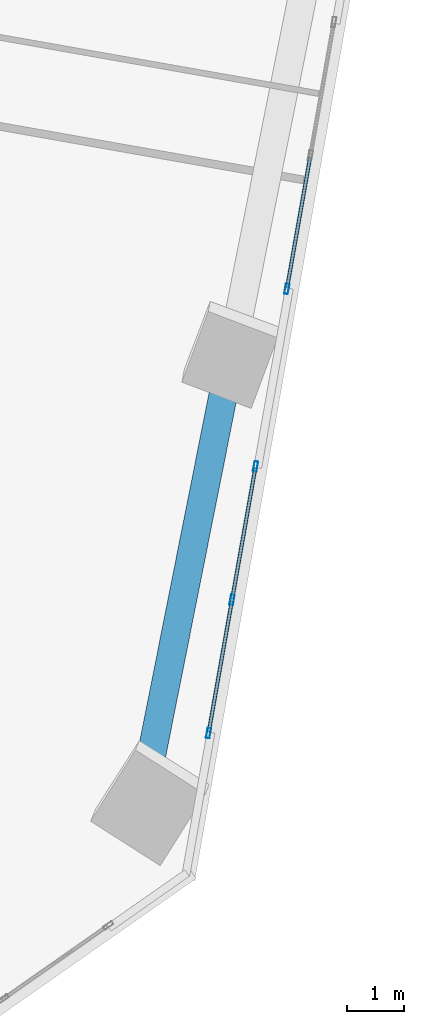
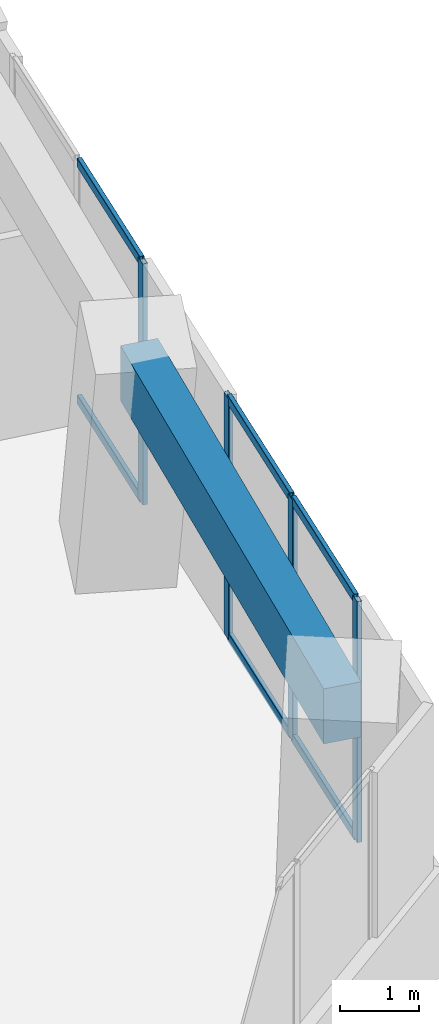
# One storey, part 9 of 24: 10 members, 1 beam, 2 elements without a shape of their own.
"""IFC4 building model written with IfcOpenShell, lengths in metres."""

from ifc_helpers import new_model, si_unit, direction, frame, origin, origin_2d, place, context, subcontext, project, spatial, rectangle, hollow_rectangle, extrude, source, transform, mapped, material, material_profile, profile_set, type_object, element, aggregate, save


model = new_model("IFC4")

# Units and contexts
model_context = context("Model", 3, precision=1e-05, world=origin(), true_north=direction((0.0, 1.0)))
body_context = subcontext(model_context, "Body", "Model", "MODEL_VIEW")
ifc_project = project(units=[si_unit("LENGTHUNIT", "METRE"), si_unit("AREAUNIT", "SQUARE_METRE"), si_unit("VOLUMEUNIT", "CUBIC_METRE"), si_unit("PLANEANGLEUNIT", "RADIAN"), si_unit("MASSUNIT", "GRAM", prefix="KILO")], contexts=[model_context])

# Site, building, storey
site_placement = place(None, origin())
site = spatial("IfcSite", under=ifc_project, at=site_placement, CompositionType="ELEMENT")
building_placement = place(site_placement, origin())
building = spatial("IfcBuilding", under=site, at=building_placement, Name="Torre Montelarca", CompositionType="ELEMENT")
storey_placement = place(building_placement, frame((0.0, 0.0, 79.0)))
storey = spatial("IfcBuildingStorey", under=building, at=storey_placement, Name="L17", CompositionType="ELEMENT", Elevation=79.0)

# Beam
ifc_material_1 = material(Name="Concrete C55/67", Category="concrete")
ifc_material_profile_1 = material_profile(ifc_material_1, rectangle(XDim=0.5, YDim=0.85009765625, at=origin_2d()), Name="RCB500X850", Category="concrete")
ifc_profile_set_1 = profile_set([ifc_material_profile_1], Name="Concrete C55/67")
beam_type = type_object("IfcBeamType", Name="BM-SP-RC850-EXT", PredefinedType="SPANDREL", material=ifc_profile_set_1)
shared_shape_1 = source(origin(), body_context, "Body", "SweptSolid", [
    extrude(rectangle(XDim=0.5, YDim=0.85009765625, at=origin_2d()), origin(), (0.0, 0.0, 1.0), 8.000244140625),
])
beam_placement = place(storey_placement, frame((57.699462890625, 16.642578125, 3.534912109375), z_axis=(0.195094884582, 0.980784372841, 0.0), x_axis=(-0.980784372841, 0.195094884582, 0.0)))
element("IfcBeam", 1, at=beam_placement, inside=storey, type_object=beam_type, Name="L17 Grid Girder Y 24.0-32.0 at X=60.0", PredefinedType="SPANDREL", context=body_context, shape_type="MappedRepresentation", body=[
    mapped(shared_shape_1, transform((0.0, 0.0, 0.0), scale=1.0)),
])

# Curtain wall, members
ifc_material_2 = material(Name="Insulated low-E laminated glass", Category="glass")
curtain_wall_type = type_object("IfcCurtainWallType", Name="CW-SYS-Z1", PredefinedType="USERDEFINED", material=ifc_material_2)
curtain_wall_1_placement = place(storey_placement, origin())
curtain_wall_1 = element("IfcCurtainWall", 2, at=curtain_wall_1_placement, inside=storey, type_object=curtain_wall_type, Name="L17 Curtain Wall Run CW-T3-L17-E06-B1", ObjectType="UNITISED GLAZING", PredefinedType="USERDEFINED")
ifc_material_3 = material(Name="Anodised aluminium AA 6063-T6", Category="aluminium")
ifc_material_profile_2 = material_profile(ifc_material_3, hollow_rectangle(XDim=0.06494140625, YDim=0.139892578125, WallThickness=0.00390625, InnerFilletRadius=0.00390625, OuterFilletRadius=0.008056640625, at=origin_2d()), Name="ALU65X140X4", Category="aluminium")
ifc_profile_set_2 = profile_set([ifc_material_profile_2], Name="Anodised aluminium AA 6063-T6")
member_type_1 = type_object("IfcMemberType", Name="CWT-ALU140", PredefinedType="USERDEFINED", material=ifc_profile_set_2)
shared_shape_2 = source(origin(), body_context, "Body", "SweptSolid", [
    extrude(hollow_rectangle(XDim=0.06494140625, YDim=0.139892578125, WallThickness=0.00390625, InnerFilletRadius=0.00390625, OuterFilletRadius=0.008056640625, at=origin_2d()), origin(), (0.0, 0.0, 1.0), 2.31494140625),
])
member_1_placement = place(storey_placement, frame((59.0048828125, 18.55322265625, 0.032470703125), z_axis=(0.173592806742, 0.984817514795, 0.0), x_axis=(-0.984817514795, 0.173592806742, 0.0)))
member_1 = element("IfcMember", 3, at=member_1_placement, type_object=member_type_1, Name="CW transom 1.1", ObjectType="TRANSOM", PredefinedType="USERDEFINED", context=body_context, shape_type="MappedRepresentation", body=[
    mapped(shared_shape_2, transform((0.0, 0.0, 0.0), scale=1.0)),
])
member_2_placement = place(storey_placement, frame((59.0048828125, 18.55322265625, 3.6875), z_axis=(0.173592806742, 0.984817514795, 0.0), x_axis=(-0.984817514795, 0.173592806742, 0.0)))
member_2 = element("IfcMember", 4, at=member_2_placement, type_object=member_type_1, Name="CW transom 1.2", ObjectType="TRANSOM", PredefinedType="USERDEFINED", context=body_context, shape_type="MappedRepresentation", body=[
    mapped(shared_shape_2, transform((0.0, 0.0, 0.0), scale=1.0)),
])
shared_shape_3 = source(origin(), body_context, "Body", "SweptSolid", [
    extrude(hollow_rectangle(XDim=0.06494140625, YDim=0.139892578125, WallThickness=0.00390625, InnerFilletRadius=0.00390625, OuterFilletRadius=0.008056640625, at=origin_2d()), origin(), (0.0, 0.0, 1.0), 2.315185546875),
])
member_3_placement = place(storey_placement, frame((59.41796875, 20.89697265625, 0.032470703125), z_axis=(0.173677051424, 0.984802661353, 0.0), x_axis=(-0.984802661353, 0.173677051424, 0.0)))
member_3 = element("IfcMember", 5, at=member_3_placement, type_object=member_type_1, Name="CW transom 2.1", ObjectType="TRANSOM", PredefinedType="USERDEFINED", context=body_context, shape_type="MappedRepresentation", body=[
    mapped(shared_shape_3, transform((0.0, 0.0, 0.0), scale=1.0)),
])
member_4_placement = place(storey_placement, frame((59.41796875, 20.89697265625, 3.6875), z_axis=(0.173677051424, 0.984802661353, 0.0), x_axis=(-0.984802661353, 0.173677051424, 0.0)))
member_4 = element("IfcMember", 6, at=member_4_placement, type_object=member_type_1, Name="CW transom 2.2", ObjectType="TRANSOM", PredefinedType="USERDEFINED", context=body_context, shape_type="MappedRepresentation", body=[
    mapped(shared_shape_3, transform((0.0, 0.0, 0.0), scale=1.0)),
])
ifc_material_profile_3 = material_profile(ifc_material_3, hollow_rectangle(XDim=0.06494140625, YDim=0.179931640625, WallThickness=0.00390625, InnerFilletRadius=0.00390625, OuterFilletRadius=0.008056640625, at=origin_2d()), Name="ALU65X180X4", Category="aluminium")
ifc_profile_set_3 = profile_set([ifc_material_profile_3], Name="Anodised aluminium AA 6063-T6")
member_type_2 = type_object("IfcMemberType", Name="CWM-ALU180", PredefinedType="MULLION", material=ifc_profile_set_3)
shared_shape_4 = source(origin(), body_context, "Body", "SweptSolid", [
    extrude(hollow_rectangle(XDim=0.06494140625, YDim=0.179931640625, WallThickness=0.00390625, InnerFilletRadius=0.00390625, OuterFilletRadius=0.008056640625, at=origin_2d()), origin(), (0.0, 0.0, 1.0), 3.719970703125),
])
member_5_placement = place(storey_placement, frame((58.9990234375, 18.52099609375, 0.0), z_axis=(0.0, 0.0, 1.0), x_axis=(-0.984810253222, 0.173633997676, 0.0)))
member_5 = element("IfcMember", 7, at=member_5_placement, type_object=member_type_2, Name="CW mullion 1", PredefinedType="MULLION", context=body_context, shape_type="MappedRepresentation", body=[
    mapped(shared_shape_4, transform((0.0, 0.0, 0.0), scale=1.0)),
])
member_6_placement = place(storey_placement, frame((59.412353515625, 20.864990234375, 0.0), z_axis=(0.0, 0.0, 1.0), x_axis=(-0.984810253222, 0.173633997676, 0.0)))
member_6 = element("IfcMember", 8, at=member_6_placement, type_object=member_type_2, Name="CW mullion 2", PredefinedType="MULLION", context=body_context, shape_type="MappedRepresentation", body=[
    mapped(shared_shape_4, transform((0.0, 0.0, 0.0), scale=1.0)),
])
member_7_placement = place(storey_placement, frame((59.82568359375, 23.208984375, 0.0), z_axis=(0.0, 0.0, 1.0), x_axis=(-0.984810253222, 0.173633997676, 0.0)))
member_7 = element("IfcMember", 9, at=member_7_placement, type_object=member_type_2, Name="CW mullion 3", PredefinedType="MULLION", context=body_context, shape_type="MappedRepresentation", body=[
    mapped(shared_shape_4, transform((0.0, 0.0, 0.0), scale=1.0)),
])
aggregate(curtain_wall_1, [member_5, member_6, member_7, member_1, member_2, member_3, member_4])

curtain_wall_2_placement = place(storey_placement, origin())
curtain_wall_2 = element("IfcCurtainWall", 10, at=curtain_wall_2_placement, inside=storey, type_object=curtain_wall_type, Name="L17 Curtain Wall Run CW-T3-L17-E06-B2", ObjectType="UNITISED GLAZING", PredefinedType="USERDEFINED")
member_8_placement = place(storey_placement, frame((60.375244140625, 26.32568359375, 0.0), z_axis=(0.0, 0.0, 1.0), x_axis=(-0.984809637697, 0.173637488749, 0.0)))
member_8 = element("IfcMember", 11, at=member_8_placement, type_object=member_type_2, Name="CW mullion 1", PredefinedType="MULLION", context=body_context, shape_type="MappedRepresentation", body=[
    mapped(shared_shape_4, transform((0.0, 0.0, 0.0), scale=1.0)),
])
shared_shape_5 = source(origin(), body_context, "Body", "SweptSolid", [
    extrude(hollow_rectangle(XDim=0.06494140625, YDim=0.139892578125, WallThickness=0.00390625, InnerFilletRadius=0.00390625, OuterFilletRadius=0.008056640625, at=origin_2d()), origin(), (0.0, 0.0, 1.0), 2.31396484375),
])
member_9_placement = place(storey_placement, frame((60.380859375, 26.357666015625, 0.032470703125), z_axis=(0.173664955196, 0.984804794534, 0.0), x_axis=(-0.984804794534, 0.173664955196, 0.0)))
member_9 = element("IfcMember", 12, at=member_9_placement, type_object=member_type_1, Name="CW transom 1.1", ObjectType="TRANSOM", PredefinedType="USERDEFINED", context=body_context, shape_type="MappedRepresentation", body=[
    mapped(shared_shape_5, transform((0.0, 0.0, 0.0), scale=1.0)),
])
member_10_placement = place(storey_placement, frame((60.380859375, 26.357666015625, 3.6875), z_axis=(0.173664955196, 0.984804794534, 0.0), x_axis=(-0.984804794534, 0.173664955196, 0.0)))
member_10 = element("IfcMember", 13, at=member_10_placement, type_object=member_type_1, Name="CW transom 1.2", ObjectType="TRANSOM", PredefinedType="USERDEFINED", context=body_context, shape_type="MappedRepresentation", body=[
    mapped(shared_shape_5, transform((0.0, 0.0, 0.0), scale=1.0)),
])
aggregate(curtain_wall_2, [member_8, member_9, member_10])

save(model, "model.ifc")
